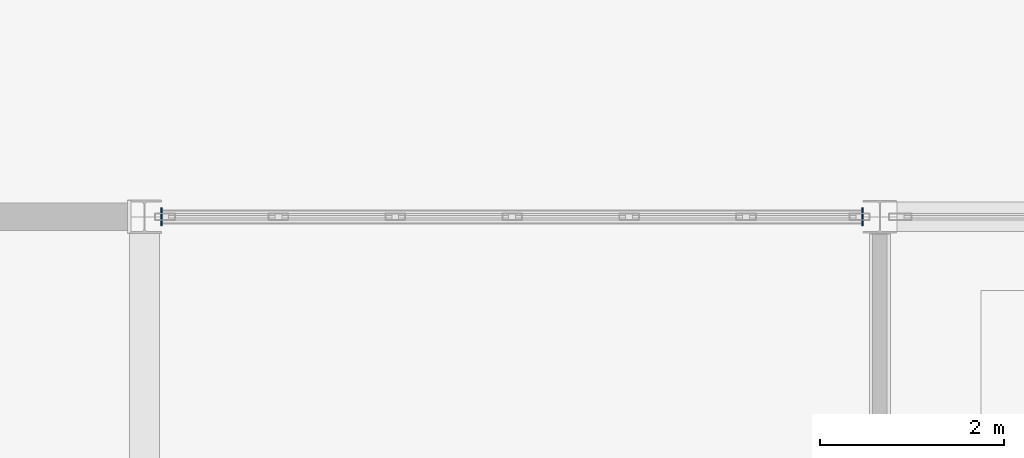
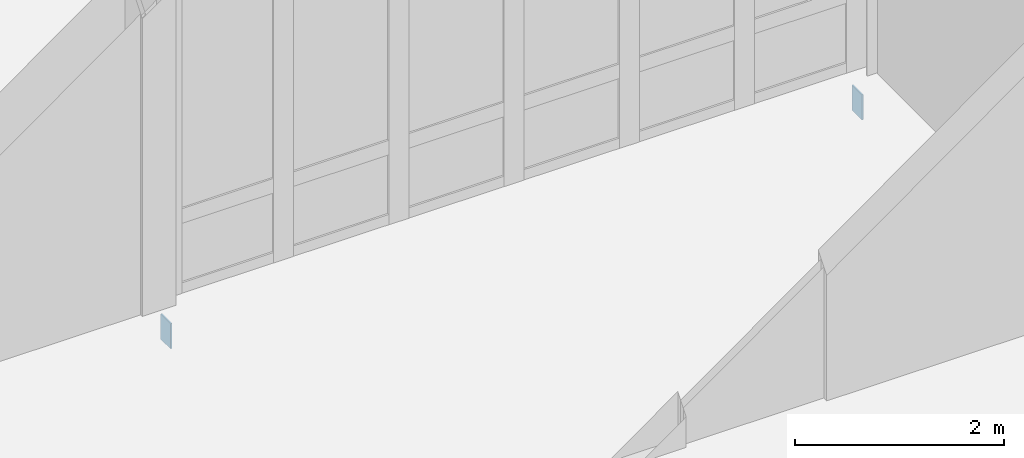
# One storey, part 176 of 229: 2 plates.
"""IFC4 building model written with IfcOpenShell, lengths in metres."""

from ifc_helpers import new_model, si_unit, direction, frame, origin, origin_2d, place, context, subcontext, project, spatial, rectangle, extrude, material, layer, layer_set, type_object, element, save


model = new_model("IFC4")

# Units and contexts
model_context = context("Model", 3, precision=1e-05, world=origin(), true_north=direction((0.0, 1.0)))
body_context = subcontext(model_context, "Body", "Model", "MODEL_VIEW")
ifc_project = project(units=[si_unit("LENGTHUNIT", "METRE"), si_unit("AREAUNIT", "SQUARE_METRE"), si_unit("VOLUMEUNIT", "CUBIC_METRE"), si_unit("PLANEANGLEUNIT", "RADIAN"), si_unit("MASSUNIT", "GRAM", prefix="KILO")], contexts=[model_context])

# Site, building, storey
site_placement = place(None, origin())
site = spatial("IfcSite", under=ifc_project, at=site_placement, CompositionType="ELEMENT")
building_placement = place(site_placement, origin())
building = spatial("IfcBuilding", under=site, at=building_placement, Name="Calvrana Isthmian Art Gallery", CompositionType="ELEMENT")
storey_placement = place(building_placement, origin())
storey = spatial("IfcBuildingStorey", under=building, at=storey_placement, Name="L00", CompositionType="ELEMENT", Elevation=0.0)

# Plates
ifc_material = material(Name="Steel ASTM A572 Gr 50", Category="steel")
ifc_layer = layer(ifc_material, 0.01611328125, Name="Steel ASTM A572 Gr 50")
ifc_layer_set = layer_set([ifc_layer], Name="Steel ASTM A572 Gr 50")
plate_type = type_object("IfcPlateType", Name="PL-CAP-16", PredefinedType="SHEET", material=ifc_layer_set)
for number, where, z_axis, x_axis, name in (
    (1, (96.583984375, 62.0, -0.55908203125), (0.0, 0.0, 1.0), (1.0, 0.0, 0.0), "Hollow section end cap plate 393"),
    (2, (104.21337890625, 62.0, -0.55908203125), (0.0, 0.0, 1.0), (1.0, 0.0, 0.0), "Hollow section end cap plate 394"),
):
    element("IfcPlate", number, at=place(storey_placement, frame(where, z_axis=z_axis, x_axis=x_axis)), inside=storey, type_object=plate_type, Name=name, PredefinedType="SHEET", context=body_context, shape_type="SweptSolid", body=[
        extrude(rectangle(XDim=0.01611328125, YDim=0.1923828125, at=origin_2d()), origin(), (0.0, 0.0, 1.0), 0.2939453125),
    ])

save(model, "model.ifc")
